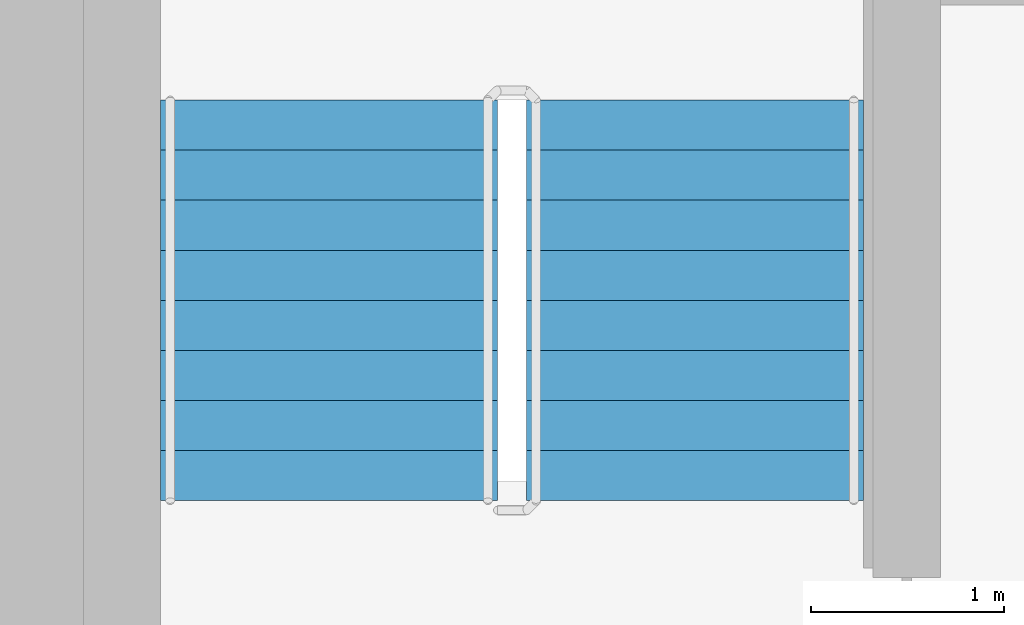
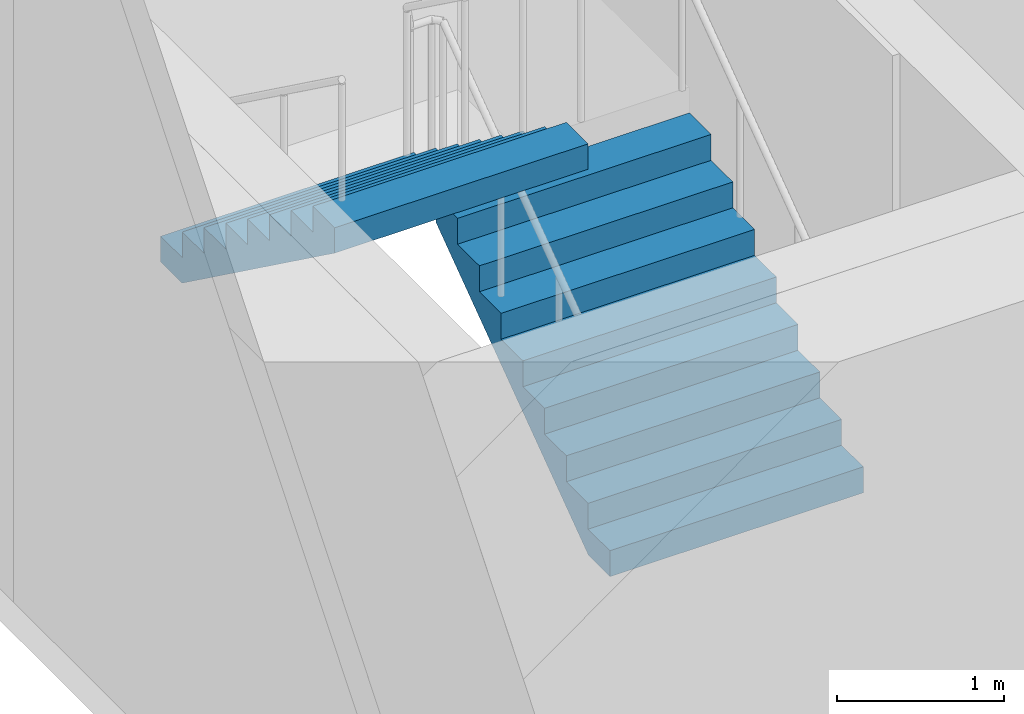
# One storey, part 16 of 19: 2 stair flights, 1 element without a shape of its own.
"""IFC4 building model written with IfcOpenShell, lengths in metres."""

from ifc_helpers import new_model, si_unit, direction, frame, origin, place, context, subcontext, project, spatial, faceted_brep, material, type_object, element, aggregate, save


model = new_model("IFC4")

# Units and contexts
model_context = context("Model", 3, precision=1e-05, world=origin(), true_north=direction((0.0, 1.0)))
body_context = subcontext(model_context, "Body", "Model", "MODEL_VIEW")
ifc_project = project(units=[si_unit("LENGTHUNIT", "METRE"), si_unit("AREAUNIT", "SQUARE_METRE"), si_unit("VOLUMEUNIT", "CUBIC_METRE"), si_unit("PLANEANGLEUNIT", "RADIAN"), si_unit("MASSUNIT", "GRAM", prefix="KILO")], contexts=[model_context])

# Site, building, storey
site_placement = place(None, origin())
site = spatial("IfcSite", under=ifc_project, at=site_placement, CompositionType="ELEMENT")
building_placement = place(site_placement, origin())
building = spatial("IfcBuilding", under=site, at=building_placement, Name="Ipe Terrace Towers", CompositionType="ELEMENT")
storey_placement = place(building_placement, frame((0.0, 0.0, 137.10009765625)))
storey = spatial("IfcBuildingStorey", under=building, at=storey_placement, Name="L37", CompositionType="ELEMENT", Elevation=137.10009765625)

# Stair, stair flights
ifc_material_1 = material(Name="Concrete C30/37", Category="concrete")
stair_type = type_object("IfcStairType", Name="Protected exit stair", PredefinedType="HALF_TURN_STAIR", material=ifc_material_1)
stair_placement = place(storey_placement, origin())
stair = element("IfcStair", 1, at=stair_placement, inside=storey, type_object=stair_type, Name="L37 Exit stair T2-C1", PredefinedType="HALF_TURN_STAIR")
ifc_material_2 = material(Name="Concrete C30/37", Category="concrete")
stair_flight_type = type_object("IfcStairFlightType", Name="Exit stair flight 1750", PredefinedType="STRAIGHT", material=ifc_material_2)
stair_flight_1_placement = place(storey_placement, frame((33.22509765625, 9.699951171875, 0.0), z_axis=(0.0, 0.0, 1.0), x_axis=(0.0, 1.0, 0.0)))
stair_flight_1 = element("IfcStairFlight", 2, at=stair_flight_1_placement, type_object=stair_flight_type, Name="T2-ST1 flight 1", NumberOfRisers=9, NumberOfTreads=8, PredefinedType="STRAIGHT", RiserHeight=0.188888889, TreadLength=0.26, context=body_context, shape_type="Brep", body=[
    faceted_brep([(0.255126953125, -0.875, 0.0), (2.080078125, -0.875, 1.325927734375), (2.080078125, -0.875, 1.51123046875), (1.820068359375, -0.875, 1.51123046875), (1.820068359375, -0.875, 1.322265625), (1.56005859375, -0.875, 1.322265625), (1.56005859375, -0.875, 1.13330078125), (1.300048828125, -0.875, 1.13330078125), (1.300048828125, -0.875, 0.9443359375), (1.0400390625, -0.875, 0.9443359375), (1.0400390625, -0.875, 0.755615234375), (0.780029296875, -0.875, 0.755615234375), (0.780029296875, -0.875, 0.566650390625), (0.52001953125, -0.875, 0.566650390625), (0.52001953125, -0.875, 0.377685546875), (0.260009765625, -0.875, 0.377685546875), (0.260009765625, -0.875, 0.18896484375), (0.0, -0.875, 0.18896484375), (0.0, -0.875, 0.0), (0.0, 0.875, 0.0), (0.0, 0.875, 0.18896484375), (0.260009765625, 0.875, 0.18896484375), (0.260009765625, 0.875, 0.377685546875), (0.52001953125, 0.875, 0.377685546875), (0.52001953125, 0.875, 0.566650390625), (0.780029296875, 0.875, 0.566650390625), (0.780029296875, 0.875, 0.755615234375), (1.0400390625, 0.875, 0.755615234375), (1.0400390625, 0.875, 0.9443359375), (1.300048828125, 0.875, 0.9443359375), (1.300048828125, 0.875, 1.13330078125), (1.56005859375, 0.875, 1.13330078125), (1.56005859375, 0.875, 1.322265625), (1.820068359375, 0.875, 1.322265625), (1.820068359375, 0.875, 1.51123046875), (2.080078125, 0.875, 1.51123046875), (2.080078125, 0.875, 1.325927734375), (0.255126953125, 0.875, 0.0), (0.0, -0.300048828125, 0.18896484375), (0.0, -0.1201171875, 0.18896484375), (0.0, -0.06005859375, 0.18896484375), (0.0, -0.030029296875, 0.18896484375), (0.0, -0.010009765625, 0.18896484375), (0.0, 0.0, 0.18896484375), (0.0, 0.010009765625, 0.18896484375), (0.0, 0.030029296875, 0.18896484375), (0.0, 0.06005859375, 0.18896484375), (0.0, 0.1201171875, 0.18896484375), (0.0, 0.300048828125, 0.18896484375), (0.0, 0.300048828125, 0.0), (0.0, 0.1201171875, 0.0), (0.0, 0.06005859375, 0.0), (0.0, 0.030029296875, 0.0), (0.0, 0.010009765625, 0.0), (0.0, 0.0, 0.0), (0.0, -0.010009765625, 0.0), (0.0, -0.030029296875, 0.0), (0.0, -0.06005859375, 0.0), (0.0, -0.1201171875, 0.0), (0.0, -0.300048828125, 0.0), (0.260009765625, -0.300048828125, 0.18896484375), (0.260009765625, -0.1201171875, 0.18896484375), (0.260009765625, -0.06005859375, 0.18896484375), (0.260009765625, -0.030029296875, 0.18896484375), (0.260009765625, -0.010009765625, 0.18896484375), (0.260009765625, 0.0, 0.18896484375), (0.260009765625, 0.010009765625, 0.18896484375), (0.260009765625, 0.030029296875, 0.18896484375), (0.260009765625, 0.06005859375, 0.18896484375), (0.260009765625, 0.1201171875, 0.18896484375), (0.260009765625, 0.300048828125, 0.18896484375), (0.260009765625, -0.300048828125, 0.377685546875), (0.260009765625, -0.1201171875, 0.377685546875), (0.260009765625, -0.06005859375, 0.377685546875), (0.260009765625, -0.030029296875, 0.377685546875), (0.260009765625, -0.010009765625, 0.377685546875), (0.260009765625, 0.0, 0.377685546875), (0.260009765625, 0.010009765625, 0.377685546875), (0.260009765625, 0.030029296875, 0.377685546875), (0.260009765625, 0.06005859375, 0.377685546875), (0.260009765625, 0.1201171875, 0.377685546875), (0.260009765625, 0.300048828125, 0.377685546875), (0.52001953125, -0.300048828125, 0.377685546875), (0.52001953125, -0.1201171875, 0.377685546875), (0.52001953125, -0.06005859375, 0.377685546875), (0.52001953125, -0.030029296875, 0.377685546875), (0.52001953125, -0.010009765625, 0.377685546875), (0.52001953125, 0.0, 0.377685546875), (0.52001953125, 0.010009765625, 0.377685546875), (0.52001953125, 0.030029296875, 0.377685546875), (0.52001953125, 0.06005859375, 0.377685546875), (0.52001953125, 0.1201171875, 0.377685546875), (0.52001953125, 0.300048828125, 0.377685546875), (0.52001953125, -0.300048828125, 0.566650390625), (0.52001953125, -0.1201171875, 0.566650390625), (0.52001953125, -0.06005859375, 0.566650390625), (0.52001953125, -0.030029296875, 0.566650390625), (0.52001953125, -0.010009765625, 0.566650390625), (0.52001953125, 0.0, 0.566650390625), (0.52001953125, 0.010009765625, 0.566650390625), (0.52001953125, 0.030029296875, 0.566650390625), (0.52001953125, 0.06005859375, 0.566650390625), (0.52001953125, 0.1201171875, 0.566650390625), (0.52001953125, 0.300048828125, 0.566650390625), (0.780029296875, -0.300048828125, 0.566650390625), (0.780029296875, -0.1201171875, 0.566650390625), (0.780029296875, -0.06005859375, 0.566650390625), (0.780029296875, -0.030029296875, 0.566650390625), (0.780029296875, -0.010009765625, 0.566650390625), (0.780029296875, 0.0, 0.566650390625), (0.780029296875, 0.010009765625, 0.566650390625), (0.780029296875, 0.030029296875, 0.566650390625), (0.780029296875, 0.06005859375, 0.566650390625), (0.780029296875, 0.1201171875, 0.566650390625), (0.780029296875, 0.300048828125, 0.566650390625), (0.780029296875, -0.300048828125, 0.755615234375), (0.780029296875, -0.1201171875, 0.755615234375), (0.780029296875, -0.06005859375, 0.755615234375), (0.780029296875, -0.030029296875, 0.755615234375), (0.780029296875, -0.010009765625, 0.755615234375), (0.780029296875, 0.0, 0.755615234375), (0.780029296875, 0.010009765625, 0.755615234375), (0.780029296875, 0.030029296875, 0.755615234375), (0.780029296875, 0.06005859375, 0.755615234375), (0.780029296875, 0.1201171875, 0.755615234375), (0.780029296875, 0.300048828125, 0.755615234375), (1.0400390625, -0.300048828125, 0.755615234375), (1.0400390625, -0.1201171875, 0.755615234375), (1.0400390625, -0.06005859375, 0.755615234375), (1.0400390625, -0.030029296875, 0.755615234375), (1.0400390625, -0.010009765625, 0.755615234375), (1.0400390625, 0.0, 0.755615234375), (1.0400390625, 0.010009765625, 0.755615234375), (1.0400390625, 0.030029296875, 0.755615234375), (1.0400390625, 0.06005859375, 0.755615234375), (1.0400390625, 0.1201171875, 0.755615234375), (1.0400390625, 0.300048828125, 0.755615234375), (1.0400390625, -0.300048828125, 0.9443359375), (1.0400390625, -0.1201171875, 0.9443359375), (1.0400390625, -0.06005859375, 0.9443359375), (1.0400390625, -0.030029296875, 0.9443359375), (1.0400390625, -0.010009765625, 0.9443359375), (1.0400390625, 0.0, 0.9443359375), (1.0400390625, 0.010009765625, 0.9443359375), (1.0400390625, 0.030029296875, 0.9443359375), (1.0400390625, 0.06005859375, 0.9443359375), (1.0400390625, 0.1201171875, 0.9443359375), (1.0400390625, 0.300048828125, 0.9443359375), (1.300048828125, -0.300048828125, 0.9443359375), (1.300048828125, -0.1201171875, 0.9443359375), (1.300048828125, -0.06005859375, 0.9443359375), (1.300048828125, -0.030029296875, 0.9443359375), (1.300048828125, -0.010009765625, 0.9443359375), (1.300048828125, 0.0, 0.9443359375), (1.300048828125, 0.010009765625, 0.9443359375), (1.300048828125, 0.030029296875, 0.9443359375), (1.300048828125, 0.06005859375, 0.9443359375), (1.300048828125, 0.1201171875, 0.9443359375), (1.300048828125, 0.300048828125, 0.9443359375), (1.300048828125, -0.300048828125, 1.13330078125), (1.300048828125, -0.1201171875, 1.13330078125), (1.300048828125, -0.06005859375, 1.13330078125), (1.300048828125, -0.030029296875, 1.13330078125), (1.300048828125, -0.010009765625, 1.13330078125), (1.300048828125, 0.0, 1.13330078125), (1.300048828125, 0.010009765625, 1.13330078125), (1.300048828125, 0.030029296875, 1.13330078125), (1.300048828125, 0.06005859375, 1.13330078125), (1.300048828125, 0.1201171875, 1.13330078125), (1.300048828125, 0.300048828125, 1.13330078125), (1.56005859375, -0.300048828125, 1.13330078125), (1.56005859375, -0.1201171875, 1.13330078125), (1.56005859375, -0.06005859375, 1.13330078125), (1.56005859375, -0.030029296875, 1.13330078125), (1.56005859375, -0.010009765625, 1.13330078125), (1.56005859375, 0.0, 1.13330078125), (1.56005859375, 0.010009765625, 1.13330078125), (1.56005859375, 0.030029296875, 1.13330078125), (1.56005859375, 0.06005859375, 1.13330078125), (1.56005859375, 0.1201171875, 1.13330078125), (1.56005859375, 0.300048828125, 1.13330078125), (1.56005859375, -0.300048828125, 1.322265625), (1.56005859375, -0.1201171875, 1.322265625), (1.56005859375, -0.06005859375, 1.322265625), (1.56005859375, -0.030029296875, 1.322265625), (1.56005859375, -0.010009765625, 1.322265625), (1.56005859375, 0.0, 1.322265625), (1.56005859375, 0.010009765625, 1.322265625), (1.56005859375, 0.030029296875, 1.322265625), (1.56005859375, 0.06005859375, 1.322265625), (1.56005859375, 0.1201171875, 1.322265625), (1.56005859375, 0.300048828125, 1.322265625), (1.820068359375, -0.300048828125, 1.322265625), (1.820068359375, -0.1201171875, 1.322265625), (1.820068359375, -0.06005859375, 1.322265625), (1.820068359375, -0.030029296875, 1.322265625), (1.820068359375, -0.010009765625, 1.322265625), (1.820068359375, 0.0, 1.322265625), (1.820068359375, 0.010009765625, 1.322265625), (1.820068359375, 0.030029296875, 1.322265625), (1.820068359375, 0.06005859375, 1.322265625), (1.820068359375, 0.1201171875, 1.322265625), (1.820068359375, 0.300048828125, 1.322265625), (1.820068359375, -0.300048828125, 1.51123046875), (1.820068359375, -0.1201171875, 1.51123046875), (1.820068359375, -0.06005859375, 1.51123046875), (1.820068359375, -0.030029296875, 1.51123046875), (1.820068359375, -0.010009765625, 1.51123046875), (1.820068359375, 0.0, 1.51123046875), (1.820068359375, 0.010009765625, 1.51123046875), (1.820068359375, 0.030029296875, 1.51123046875), (1.820068359375, 0.06005859375, 1.51123046875), (1.820068359375, 0.1201171875, 1.51123046875), (1.820068359375, 0.300048828125, 1.51123046875), (2.080078125, -0.300048828125, 1.51123046875), (2.080078125, -0.1201171875, 1.51123046875), (2.080078125, -0.06005859375, 1.51123046875), (2.080078125, -0.030029296875, 1.51123046875), (2.080078125, -0.010009765625, 1.51123046875), (2.080078125, 0.0, 1.51123046875), (2.080078125, 0.010009765625, 1.51123046875), (2.080078125, 0.030029296875, 1.51123046875), (2.080078125, 0.06005859375, 1.51123046875), (2.080078125, 0.1201171875, 1.51123046875), (2.080078125, 0.300048828125, 1.51123046875), (2.080078125, -0.300048828125, 1.325927734375), (2.080078125, -0.1201171875, 1.325927734375), (2.080078125, -0.06005859375, 1.325927734375), (2.080078125, -0.030029296875, 1.325927734375), (2.080078125, -0.010009765625, 1.325927734375), (2.080078125, 0.0, 1.325927734375), (2.080078125, 0.010009765625, 1.325927734375), (2.080078125, 0.030029296875, 1.325927734375), (2.080078125, 0.06005859375, 1.325927734375), (2.080078125, 0.1201171875, 1.325927734375), (2.080078125, 0.300048828125, 1.325927734375), (0.255126953125, -0.300048828125, 0.0), (0.255126953125, -0.1201171875, 0.0), (0.255126953125, -0.06005859375, 0.0), (0.255126953125, -0.030029296875, 0.0), (0.255126953125, -0.010009765625, 0.0), (0.255126953125, 0.0, 0.0), (0.255126953125, 0.010009765625, 0.0), (0.255126953125, 0.030029296875, 0.0), (0.255126953125, 0.06005859375, 0.0), (0.255126953125, 0.1201171875, 0.0), (0.255126953125, 0.300048828125, 0.0)], [[[0, 1, 2, 3, 4, 5, 6, 7, 8, 9, 10, 11, 12, 13, 14, 15, 16, 17, 18]], [[19, 20, 21, 22, 23, 24, 25, 26, 27, 28, 29, 30, 31, 32, 33, 34, 35, 36, 37]], [[17, 38, 39, 40, 41, 42, 43, 44, 45, 46, 47, 48, 20, 19, 49, 50, 51, 52, 53, 54, 55, 56, 57, 58, 59, 18]], [[16, 60, 61, 62, 63, 64, 65, 66, 67, 68, 69, 70, 21, 20, 48, 47, 46, 45, 44, 43, 42, 41, 40, 39, 38, 17]], [[15, 71, 72, 73, 74, 75, 76, 77, 78, 79, 80, 81, 22, 21, 70, 69, 68, 67, 66, 65, 64, 63, 62, 61, 60, 16]], [[14, 82, 83, 84, 85, 86, 87, 88, 89, 90, 91, 92, 23, 22, 81, 80, 79, 78, 77, 76, 75, 74, 73, 72, 71, 15]], [[13, 93, 94, 95, 96, 97, 98, 99, 100, 101, 102, 103, 24, 23, 92, 91, 90, 89, 88, 87, 86, 85, 84, 83, 82, 14]], [[12, 104, 105, 106, 107, 108, 109, 110, 111, 112, 113, 114, 25, 24, 103, 102, 101, 100, 99, 98, 97, 96, 95, 94, 93, 13]], [[11, 115, 116, 117, 118, 119, 120, 121, 122, 123, 124, 125, 26, 25, 114, 113, 112, 111, 110, 109, 108, 107, 106, 105, 104, 12]], [[10, 126, 127, 128, 129, 130, 131, 132, 133, 134, 135, 136, 27, 26, 125, 124, 123, 122, 121, 120, 119, 118, 117, 116, 115, 11]], [[9, 137, 138, 139, 140, 141, 142, 143, 144, 145, 146, 147, 28, 27, 136, 135, 134, 133, 132, 131, 130, 129, 128, 127, 126, 10]], [[8, 148, 149, 150, 151, 152, 153, 154, 155, 156, 157, 158, 29, 28, 147, 146, 145, 144, 143, 142, 141, 140, 139, 138, 137, 9]], [[7, 159, 160, 161, 162, 163, 164, 165, 166, 167, 168, 169, 30, 29, 158, 157, 156, 155, 154, 153, 152, 151, 150, 149, 148, 8]], [[6, 170, 171, 172, 173, 174, 175, 176, 177, 178, 179, 180, 31, 30, 169, 168, 167, 166, 165, 164, 163, 162, 161, 160, 159, 7]], [[5, 181, 182, 183, 184, 185, 186, 187, 188, 189, 190, 191, 32, 31, 180, 179, 178, 177, 176, 175, 174, 173, 172, 171, 170, 6]], [[4, 192, 193, 194, 195, 196, 197, 198, 199, 200, 201, 202, 33, 32, 191, 190, 189, 188, 187, 186, 185, 184, 183, 182, 181, 5]], [[3, 203, 204, 205, 206, 207, 208, 209, 210, 211, 212, 213, 34, 33, 202, 201, 200, 199, 198, 197, 196, 195, 194, 193, 192, 4]], [[2, 214, 215, 216, 217, 218, 219, 220, 221, 222, 223, 224, 35, 34, 213, 212, 211, 210, 209, 208, 207, 206, 205, 204, 203, 3]], [[1, 225, 226, 227, 228, 229, 230, 231, 232, 233, 234, 235, 36, 35, 224, 223, 222, 221, 220, 219, 218, 217, 216, 215, 214, 2]], [[0, 236, 237, 238, 239, 240, 241, 242, 243, 244, 245, 246, 37, 36, 235, 234, 233, 232, 231, 230, 229, 228, 227, 226, 225, 1]], [[18, 59, 58, 57, 56, 55, 54, 53, 52, 51, 50, 49, 19, 37, 246, 245, 244, 243, 242, 241, 240, 239, 238, 237, 236, 0]]]),
])
stair_flight_2_placement = place(storey_placement, frame((31.324951171875, 11.780029296875, 1.699951171875), z_axis=(0.0, 0.0, 1.0), x_axis=(0.0, -1.0, 0.0)))
stair_flight_2 = element("IfcStairFlight", 3, at=stair_flight_2_placement, type_object=stair_flight_type, Name="T2-ST1 flight 2", NumberOfRisers=9, NumberOfTreads=8, PredefinedType="STRAIGHT", RiserHeight=0.188888889, TreadLength=0.26, context=body_context, shape_type="Brep", body=[
    faceted_brep([(0.255126953125, -0.875, 0.0), (2.080078125, -0.875, 1.325927734375), (2.080078125, -0.875, 1.51123046875), (1.820068359375, -0.875, 1.51123046875), (1.820068359375, -0.875, 1.322265625), (1.56005859375, -0.875, 1.322265625), (1.56005859375, -0.875, 1.13330078125), (1.300048828125, -0.875, 1.13330078125), (1.300048828125, -0.875, 0.9443359375), (1.0400390625, -0.875, 0.9443359375), (1.0400390625, -0.875, 0.755615234375), (0.780029296875, -0.875, 0.755615234375), (0.780029296875, -0.875, 0.566650390625), (0.52001953125, -0.875, 0.566650390625), (0.52001953125, -0.875, 0.377685546875), (0.260009765625, -0.875, 0.377685546875), (0.260009765625, -0.875, 0.18896484375), (0.0, -0.875, 0.18896484375), (0.0, -0.875, 0.0), (0.0, 0.875, 0.0), (0.0, 0.875, 0.18896484375), (0.260009765625, 0.875, 0.18896484375), (0.260009765625, 0.875, 0.377685546875), (0.52001953125, 0.875, 0.377685546875), (0.52001953125, 0.875, 0.566650390625), (0.780029296875, 0.875, 0.566650390625), (0.780029296875, 0.875, 0.755615234375), (1.0400390625, 0.875, 0.755615234375), (1.0400390625, 0.875, 0.9443359375), (1.300048828125, 0.875, 0.9443359375), (1.300048828125, 0.875, 1.13330078125), (1.56005859375, 0.875, 1.13330078125), (1.56005859375, 0.875, 1.322265625), (1.820068359375, 0.875, 1.322265625), (1.820068359375, 0.875, 1.51123046875), (2.080078125, 0.875, 1.51123046875), (2.080078125, 0.875, 1.325927734375), (0.255126953125, 0.875, 0.0), (0.0, -0.300048828125, 0.18896484375), (0.0, -0.1201171875, 0.18896484375), (0.0, -0.06005859375, 0.18896484375), (0.0, -0.030029296875, 0.18896484375), (0.0, -0.010009765625, 0.18896484375), (0.0, 0.0, 0.18896484375), (0.0, 0.010009765625, 0.18896484375), (0.0, 0.030029296875, 0.18896484375), (0.0, 0.06005859375, 0.18896484375), (0.0, 0.1201171875, 0.18896484375), (0.0, 0.300048828125, 0.18896484375), (0.0, 0.300048828125, 0.0), (0.0, 0.1201171875, 0.0), (0.0, 0.06005859375, 0.0), (0.0, 0.030029296875, 0.0), (0.0, 0.010009765625, 0.0), (0.0, 0.0, 0.0), (0.0, -0.010009765625, 0.0), (0.0, -0.030029296875, 0.0), (0.0, -0.06005859375, 0.0), (0.0, -0.1201171875, 0.0), (0.0, -0.300048828125, 0.0), (0.260009765625, -0.300048828125, 0.18896484375), (0.260009765625, -0.1201171875, 0.18896484375), (0.260009765625, -0.06005859375, 0.18896484375), (0.260009765625, -0.030029296875, 0.18896484375), (0.260009765625, -0.010009765625, 0.18896484375), (0.260009765625, 0.0, 0.18896484375), (0.260009765625, 0.010009765625, 0.18896484375), (0.260009765625, 0.030029296875, 0.18896484375), (0.260009765625, 0.06005859375, 0.18896484375), (0.260009765625, 0.1201171875, 0.18896484375), (0.260009765625, 0.300048828125, 0.18896484375), (0.260009765625, -0.300048828125, 0.377685546875), (0.260009765625, -0.1201171875, 0.377685546875), (0.260009765625, -0.06005859375, 0.377685546875), (0.260009765625, -0.030029296875, 0.377685546875), (0.260009765625, -0.010009765625, 0.377685546875), (0.260009765625, 0.0, 0.377685546875), (0.260009765625, 0.010009765625, 0.377685546875), (0.260009765625, 0.030029296875, 0.377685546875), (0.260009765625, 0.06005859375, 0.377685546875), (0.260009765625, 0.1201171875, 0.377685546875), (0.260009765625, 0.300048828125, 0.377685546875), (0.52001953125, -0.300048828125, 0.377685546875), (0.52001953125, -0.1201171875, 0.377685546875), (0.52001953125, -0.06005859375, 0.377685546875), (0.52001953125, -0.030029296875, 0.377685546875), (0.52001953125, -0.010009765625, 0.377685546875), (0.52001953125, 0.0, 0.377685546875), (0.52001953125, 0.010009765625, 0.377685546875), (0.52001953125, 0.030029296875, 0.377685546875), (0.52001953125, 0.06005859375, 0.377685546875), (0.52001953125, 0.1201171875, 0.377685546875), (0.52001953125, 0.300048828125, 0.377685546875), (0.52001953125, -0.300048828125, 0.566650390625), (0.52001953125, -0.1201171875, 0.566650390625), (0.52001953125, -0.06005859375, 0.566650390625), (0.52001953125, -0.030029296875, 0.566650390625), (0.52001953125, -0.010009765625, 0.566650390625), (0.52001953125, 0.0, 0.566650390625), (0.52001953125, 0.010009765625, 0.566650390625), (0.52001953125, 0.030029296875, 0.566650390625), (0.52001953125, 0.06005859375, 0.566650390625), (0.52001953125, 0.1201171875, 0.566650390625), (0.52001953125, 0.300048828125, 0.566650390625), (0.780029296875, -0.300048828125, 0.566650390625), (0.780029296875, -0.1201171875, 0.566650390625), (0.780029296875, -0.06005859375, 0.566650390625), (0.780029296875, -0.030029296875, 0.566650390625), (0.780029296875, -0.010009765625, 0.566650390625), (0.780029296875, 0.0, 0.566650390625), (0.780029296875, 0.010009765625, 0.566650390625), (0.780029296875, 0.030029296875, 0.566650390625), (0.780029296875, 0.06005859375, 0.566650390625), (0.780029296875, 0.1201171875, 0.566650390625), (0.780029296875, 0.300048828125, 0.566650390625), (0.780029296875, -0.300048828125, 0.755615234375), (0.780029296875, -0.1201171875, 0.755615234375), (0.780029296875, -0.06005859375, 0.755615234375), (0.780029296875, -0.030029296875, 0.755615234375), (0.780029296875, -0.010009765625, 0.755615234375), (0.780029296875, 0.0, 0.755615234375), (0.780029296875, 0.010009765625, 0.755615234375), (0.780029296875, 0.030029296875, 0.755615234375), (0.780029296875, 0.06005859375, 0.755615234375), (0.780029296875, 0.1201171875, 0.755615234375), (0.780029296875, 0.300048828125, 0.755615234375), (1.0400390625, -0.300048828125, 0.755615234375), (1.0400390625, -0.1201171875, 0.755615234375), (1.0400390625, -0.06005859375, 0.755615234375), (1.0400390625, -0.030029296875, 0.755615234375), (1.0400390625, -0.010009765625, 0.755615234375), (1.0400390625, 0.0, 0.755615234375), (1.0400390625, 0.010009765625, 0.755615234375), (1.0400390625, 0.030029296875, 0.755615234375), (1.0400390625, 0.06005859375, 0.755615234375), (1.0400390625, 0.1201171875, 0.755615234375), (1.0400390625, 0.300048828125, 0.755615234375), (1.0400390625, -0.300048828125, 0.9443359375), (1.0400390625, -0.1201171875, 0.9443359375), (1.0400390625, -0.06005859375, 0.9443359375), (1.0400390625, -0.030029296875, 0.9443359375), (1.0400390625, -0.010009765625, 0.9443359375), (1.0400390625, 0.0, 0.9443359375), (1.0400390625, 0.010009765625, 0.9443359375), (1.0400390625, 0.030029296875, 0.9443359375), (1.0400390625, 0.06005859375, 0.9443359375), (1.0400390625, 0.1201171875, 0.9443359375), (1.0400390625, 0.300048828125, 0.9443359375), (1.300048828125, -0.300048828125, 0.9443359375), (1.300048828125, -0.1201171875, 0.9443359375), (1.300048828125, -0.06005859375, 0.9443359375), (1.300048828125, -0.030029296875, 0.9443359375), (1.300048828125, -0.010009765625, 0.9443359375), (1.300048828125, 0.0, 0.9443359375), (1.300048828125, 0.010009765625, 0.9443359375), (1.300048828125, 0.030029296875, 0.9443359375), (1.300048828125, 0.06005859375, 0.9443359375), (1.300048828125, 0.1201171875, 0.9443359375), (1.300048828125, 0.300048828125, 0.9443359375), (1.300048828125, -0.300048828125, 1.13330078125), (1.300048828125, -0.1201171875, 1.13330078125), (1.300048828125, -0.06005859375, 1.13330078125), (1.300048828125, -0.030029296875, 1.13330078125), (1.300048828125, -0.010009765625, 1.13330078125), (1.300048828125, 0.0, 1.13330078125), (1.300048828125, 0.010009765625, 1.13330078125), (1.300048828125, 0.030029296875, 1.13330078125), (1.300048828125, 0.06005859375, 1.13330078125), (1.300048828125, 0.1201171875, 1.13330078125), (1.300048828125, 0.300048828125, 1.13330078125), (1.56005859375, -0.300048828125, 1.13330078125), (1.56005859375, -0.1201171875, 1.13330078125), (1.56005859375, -0.06005859375, 1.13330078125), (1.56005859375, -0.030029296875, 1.13330078125), (1.56005859375, -0.010009765625, 1.13330078125), (1.56005859375, 0.0, 1.13330078125), (1.56005859375, 0.010009765625, 1.13330078125), (1.56005859375, 0.030029296875, 1.13330078125), (1.56005859375, 0.06005859375, 1.13330078125), (1.56005859375, 0.1201171875, 1.13330078125), (1.56005859375, 0.300048828125, 1.13330078125), (1.56005859375, -0.300048828125, 1.322265625), (1.56005859375, -0.1201171875, 1.322265625), (1.56005859375, -0.06005859375, 1.322265625), (1.56005859375, -0.030029296875, 1.322265625), (1.56005859375, -0.010009765625, 1.322265625), (1.56005859375, 0.0, 1.322265625), (1.56005859375, 0.010009765625, 1.322265625), (1.56005859375, 0.030029296875, 1.322265625), (1.56005859375, 0.06005859375, 1.322265625), (1.56005859375, 0.1201171875, 1.322265625), (1.56005859375, 0.300048828125, 1.322265625), (1.820068359375, -0.300048828125, 1.322265625), (1.820068359375, -0.1201171875, 1.322265625), (1.820068359375, -0.06005859375, 1.322265625), (1.820068359375, -0.030029296875, 1.322265625), (1.820068359375, -0.010009765625, 1.322265625), (1.820068359375, 0.0, 1.322265625), (1.820068359375, 0.010009765625, 1.322265625), (1.820068359375, 0.030029296875, 1.322265625), (1.820068359375, 0.06005859375, 1.322265625), (1.820068359375, 0.1201171875, 1.322265625), (1.820068359375, 0.300048828125, 1.322265625), (1.820068359375, -0.300048828125, 1.51123046875), (1.820068359375, -0.1201171875, 1.51123046875), (1.820068359375, -0.06005859375, 1.51123046875), (1.820068359375, -0.030029296875, 1.51123046875), (1.820068359375, -0.010009765625, 1.51123046875), (1.820068359375, 0.0, 1.51123046875), (1.820068359375, 0.010009765625, 1.51123046875), (1.820068359375, 0.030029296875, 1.51123046875), (1.820068359375, 0.06005859375, 1.51123046875), (1.820068359375, 0.1201171875, 1.51123046875), (1.820068359375, 0.300048828125, 1.51123046875), (2.080078125, -0.300048828125, 1.51123046875), (2.080078125, -0.1201171875, 1.51123046875), (2.080078125, -0.06005859375, 1.51123046875), (2.080078125, -0.030029296875, 1.51123046875), (2.080078125, -0.010009765625, 1.51123046875), (2.080078125, 0.0, 1.51123046875), (2.080078125, 0.010009765625, 1.51123046875), (2.080078125, 0.030029296875, 1.51123046875), (2.080078125, 0.06005859375, 1.51123046875), (2.080078125, 0.1201171875, 1.51123046875), (2.080078125, 0.300048828125, 1.51123046875), (2.080078125, -0.300048828125, 1.325927734375), (2.080078125, -0.1201171875, 1.325927734375), (2.080078125, -0.06005859375, 1.325927734375), (2.080078125, -0.030029296875, 1.325927734375), (2.080078125, -0.010009765625, 1.325927734375), (2.080078125, 0.0, 1.325927734375), (2.080078125, 0.010009765625, 1.325927734375), (2.080078125, 0.030029296875, 1.325927734375), (2.080078125, 0.06005859375, 1.325927734375), (2.080078125, 0.1201171875, 1.325927734375), (2.080078125, 0.300048828125, 1.325927734375), (0.255126953125, -0.300048828125, 0.0), (0.255126953125, -0.1201171875, 0.0), (0.255126953125, -0.06005859375, 0.0), (0.255126953125, -0.030029296875, 0.0), (0.255126953125, -0.010009765625, 0.0), (0.255126953125, 0.0, 0.0), (0.255126953125, 0.010009765625, 0.0), (0.255126953125, 0.030029296875, 0.0), (0.255126953125, 0.06005859375, 0.0), (0.255126953125, 0.1201171875, 0.0), (0.255126953125, 0.300048828125, 0.0)], [[[0, 1, 2, 3, 4, 5, 6, 7, 8, 9, 10, 11, 12, 13, 14, 15, 16, 17, 18]], [[19, 20, 21, 22, 23, 24, 25, 26, 27, 28, 29, 30, 31, 32, 33, 34, 35, 36, 37]], [[17, 38, 39, 40, 41, 42, 43, 44, 45, 46, 47, 48, 20, 19, 49, 50, 51, 52, 53, 54, 55, 56, 57, 58, 59, 18]], [[16, 60, 61, 62, 63, 64, 65, 66, 67, 68, 69, 70, 21, 20, 48, 47, 46, 45, 44, 43, 42, 41, 40, 39, 38, 17]], [[15, 71, 72, 73, 74, 75, 76, 77, 78, 79, 80, 81, 22, 21, 70, 69, 68, 67, 66, 65, 64, 63, 62, 61, 60, 16]], [[14, 82, 83, 84, 85, 86, 87, 88, 89, 90, 91, 92, 23, 22, 81, 80, 79, 78, 77, 76, 75, 74, 73, 72, 71, 15]], [[13, 93, 94, 95, 96, 97, 98, 99, 100, 101, 102, 103, 24, 23, 92, 91, 90, 89, 88, 87, 86, 85, 84, 83, 82, 14]], [[12, 104, 105, 106, 107, 108, 109, 110, 111, 112, 113, 114, 25, 24, 103, 102, 101, 100, 99, 98, 97, 96, 95, 94, 93, 13]], [[11, 115, 116, 117, 118, 119, 120, 121, 122, 123, 124, 125, 26, 25, 114, 113, 112, 111, 110, 109, 108, 107, 106, 105, 104, 12]], [[10, 126, 127, 128, 129, 130, 131, 132, 133, 134, 135, 136, 27, 26, 125, 124, 123, 122, 121, 120, 119, 118, 117, 116, 115, 11]], [[9, 137, 138, 139, 140, 141, 142, 143, 144, 145, 146, 147, 28, 27, 136, 135, 134, 133, 132, 131, 130, 129, 128, 127, 126, 10]], [[8, 148, 149, 150, 151, 152, 153, 154, 155, 156, 157, 158, 29, 28, 147, 146, 145, 144, 143, 142, 141, 140, 139, 138, 137, 9]], [[7, 159, 160, 161, 162, 163, 164, 165, 166, 167, 168, 169, 30, 29, 158, 157, 156, 155, 154, 153, 152, 151, 150, 149, 148, 8]], [[6, 170, 171, 172, 173, 174, 175, 176, 177, 178, 179, 180, 31, 30, 169, 168, 167, 166, 165, 164, 163, 162, 161, 160, 159, 7]], [[5, 181, 182, 183, 184, 185, 186, 187, 188, 189, 190, 191, 32, 31, 180, 179, 178, 177, 176, 175, 174, 173, 172, 171, 170, 6]], [[4, 192, 193, 194, 195, 196, 197, 198, 199, 200, 201, 202, 33, 32, 191, 190, 189, 188, 187, 186, 185, 184, 183, 182, 181, 5]], [[3, 203, 204, 205, 206, 207, 208, 209, 210, 211, 212, 213, 34, 33, 202, 201, 200, 199, 198, 197, 196, 195, 194, 193, 192, 4]], [[2, 214, 215, 216, 217, 218, 219, 220, 221, 222, 223, 224, 35, 34, 213, 212, 211, 210, 209, 208, 207, 206, 205, 204, 203, 3]], [[1, 225, 226, 227, 228, 229, 230, 231, 232, 233, 234, 235, 36, 35, 224, 223, 222, 221, 220, 219, 218, 217, 216, 215, 214, 2]], [[0, 236, 237, 238, 239, 240, 241, 242, 243, 244, 245, 246, 37, 36, 235, 234, 233, 232, 231, 230, 229, 228, 227, 226, 225, 1]], [[18, 59, 58, 57, 56, 55, 54, 53, 52, 51, 50, 49, 19, 37, 246, 245, 244, 243, 242, 241, 240, 239, 238, 237, 236, 0]]]),
])
aggregate(stair, [stair_flight_1, stair_flight_2])

save(model, "model.ifc")
